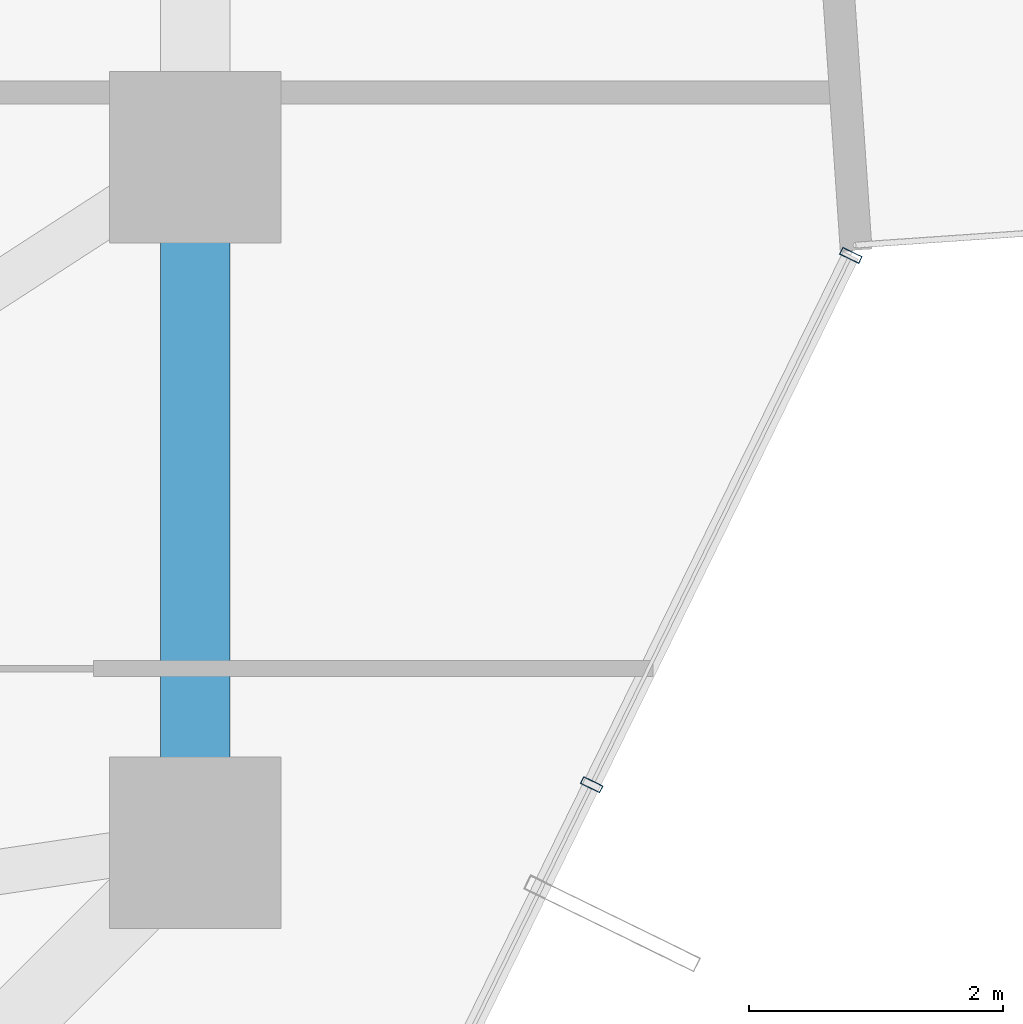
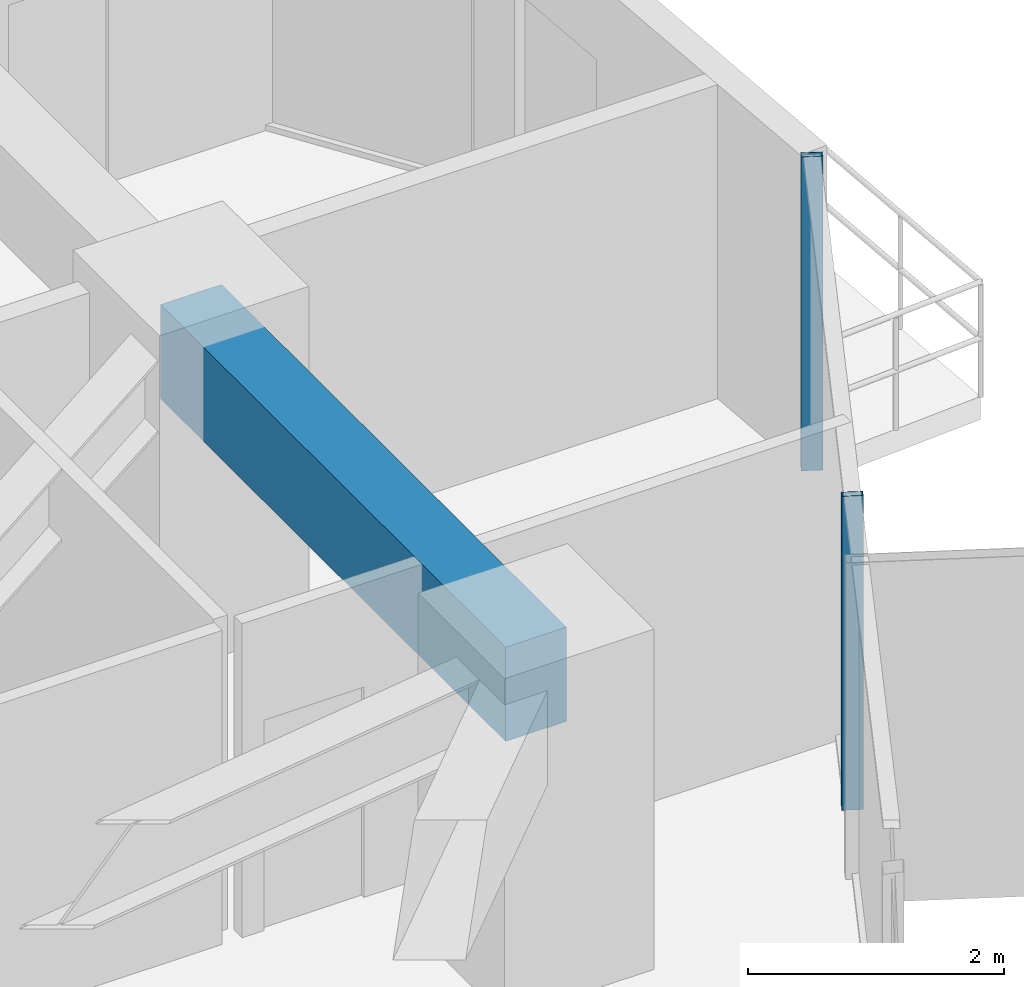
# One storey, part 18 of 37: 2 members, 1 beam, 1 element without a shape of its own.
"""IFC4 building model written with IfcOpenShell, lengths in metres."""

from ifc_helpers import new_model, si_unit, direction, frame, origin, origin_2d, place, context, subcontext, project, spatial, rectangle, hollow_rectangle, extrude, source, transform, mapped, material, layer, layer_set, material_profile, profile_set, type_object, element, aggregate, save


model = new_model("IFC4")

# Units and contexts
model_context = context("Model", 3, precision=1e-05, world=origin(), true_north=direction((0.0, 1.0)))
body_context = subcontext(model_context, "Body", "Model", "MODEL_VIEW")
ifc_project = project(units=[si_unit("LENGTHUNIT", "METRE"), si_unit("AREAUNIT", "SQUARE_METRE"), si_unit("VOLUMEUNIT", "CUBIC_METRE"), si_unit("PLANEANGLEUNIT", "RADIAN"), si_unit("MASSUNIT", "GRAM", prefix="KILO")], contexts=[model_context])

# Site, building, storey
site_placement = place(None, origin())
site = spatial("IfcSite", under=ifc_project, at=site_placement, CompositionType="ELEMENT")
building_placement = place(site_placement, origin())
building = spatial("IfcBuilding", under=site, at=building_placement, Name="Veraguas Prism Commons", CompositionType="ELEMENT")
storey_placement = place(building_placement, frame((0.0, 0.0, 37.050048828125)))
storey = spatial("IfcBuildingStorey", under=building, at=storey_placement, Name="L09", CompositionType="ELEMENT", Elevation=37.050048828125)

# Beam
ifc_material_1 = material(Name="Concrete C50/60", Category="concrete")
ifc_material_profile_1 = material_profile(ifc_material_1, rectangle(XDim=0.550048828125, YDim=0.89990234375, at=origin_2d()), Name="RC550X900")
ifc_profile_set_1 = profile_set([ifc_material_profile_1], Name="Concrete C50/60")
beam_type = type_object("IfcBeamType", Name="Perimeter Spandrel Lower RC 550x900", PredefinedType="SPANDREL", material=ifc_profile_set_1)
beam_placement = place(storey_placement, frame((41.60009765625, 18.60009765625, 2.550048828125), z_axis=(0.0, 1.0, 0.0), x_axis=(-1.0, 0.0, 0.0)))
element("IfcBeam", 1, at=beam_placement, inside=storey, type_object=beam_type, Name="Perimeter Spandrel Beam L09-SP01", PredefinedType="SPANDREL", context=body_context, shape_type="SweptSolid", body=[
    extrude(rectangle(XDim=0.550048828125, YDim=0.89990234375, at=origin_2d()), origin(), (0.0, 0.0, 1.0), 5.39990234375),
])

# Curtain wall, members
ifc_material_2 = material(Name="Anodised aluminium EN AW-6063 T6", Category="aluminium")
ifc_layer = layer(ifc_material_2, 0.169921875, Name="Unitised Flush Curtain Wall Zone 1", Category="aluminium")
ifc_layer_set = layer_set([ifc_layer], Name="Anodised aluminium EN AW-6063 T6")
curtain_wall_type = type_object("IfcCurtainWallType", Name="Unitised Flush Curtain Wall Zone 1", PredefinedType="NOTDEFINED", material=ifc_layer_set)
curtain_wall_placement = place(storey_placement, origin())
curtain_wall = element("IfcCurtainWall", 2, at=curtain_wall_placement, inside=storey, type_object=curtain_wall_type, Name="Tower Facade Curtain Wall L09-F6", PredefinedType="NOTDEFINED")
ifc_material_profile_2 = material_profile(ifc_material_2, hollow_rectangle(XDim=0.06005859375, YDim=0.169921875, WallThickness=0.00390625, at=origin_2d()), Name="AL60X170X4")
ifc_profile_set_2 = profile_set([ifc_material_profile_2], Name="Anodised aluminium EN AW-6063 T6")
member_type = type_object("IfcMemberType", Name="Curtain Wall Mullion Lower AL 60x170x4", PredefinedType="MULLION", material=ifc_profile_set_2)
shared_shape = source(origin(), body_context, "Body", "SweptSolid", [
    extrude(hollow_rectangle(XDim=0.06005859375, YDim=0.169921875, WallThickness=0.00390625, at=origin_2d()), origin(), (0.0, 0.0, 1.0), 3.0),
])
member_1_placement = place(storey_placement, frame((44.721923828125, 19.057861328125, 0.0), z_axis=(0.0, 0.0, 1.0), x_axis=(0.4396256723, 0.898181088787, 0.0)))
member_1 = element("IfcMember", 3, at=member_1_placement, type_object=member_type, Name="CW-Z1 Mullion 4", PredefinedType="MULLION", context=body_context, shape_type="MappedRepresentation", body=[
    mapped(shared_shape, transform((0.0, 0.0, 0.0), scale=1.0)),
])
member_2_placement = place(storey_placement, frame((46.76220703125, 23.226318359375, 0.0), z_axis=(0.0, 0.0, 1.0), x_axis=(0.4396256723, 0.898181088787, 0.0)))
member_2 = element("IfcMember", 4, at=member_2_placement, type_object=member_type, Name="CW-Z1 Mullion 5", PredefinedType="MULLION", context=body_context, shape_type="MappedRepresentation", body=[
    mapped(shared_shape, transform((0.0, 0.0, 0.0), scale=1.0)),
])
aggregate(curtain_wall, [member_1, member_2])

save(model, "model.ifc")
